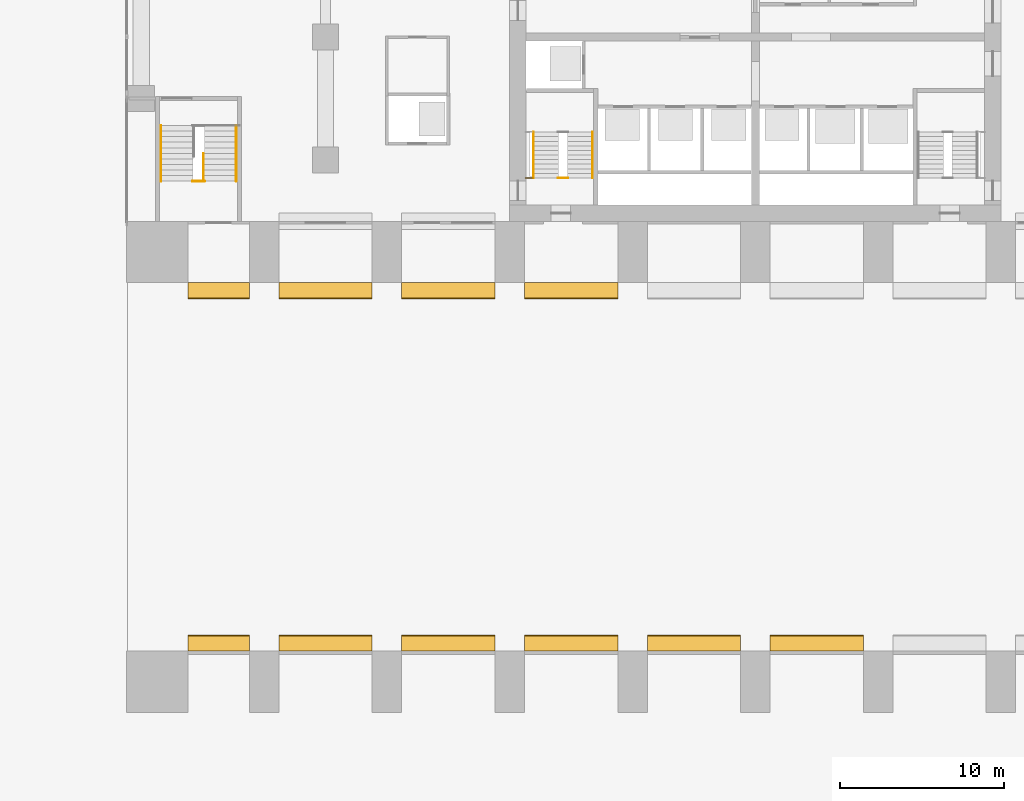
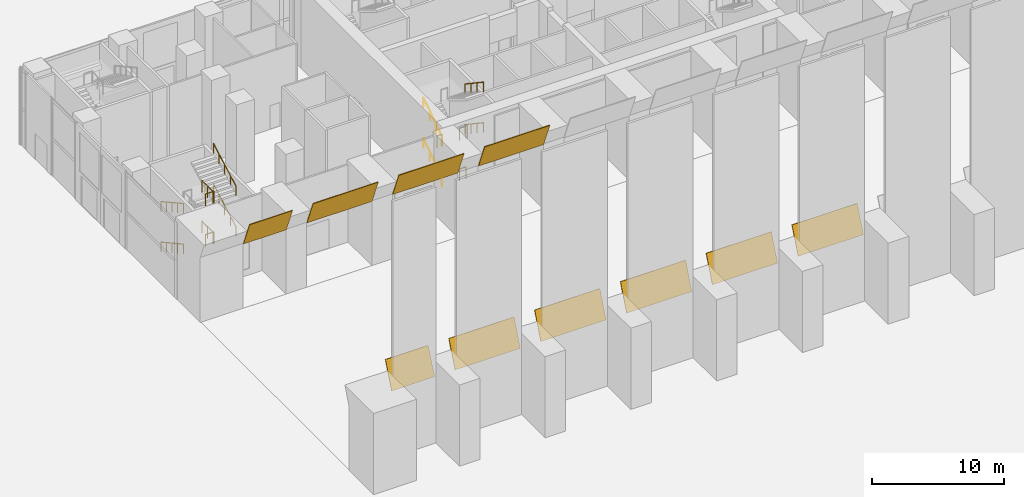
# One storey, part 17 of 21: 15 railings, 10 coverings.
"""IFC4 building model written with IfcOpenShell, lengths in metres."""

from ifc_helpers import new_model, si_unit, direction, frame, origin, origin_2d, place, context, subcontext, project, spatial, polyline, circle, outline, extrude, material, layer, layer_set, type_object, element, save


model = new_model("IFC4")

# Units and contexts
model_context = context("Model", 3, precision=1e-05, world=origin(), true_north=direction((0.0, 1.0)))
body_context = subcontext(model_context, "Body", "Model", "MODEL_VIEW")
ifc_project = project(units=[si_unit("LENGTHUNIT", "METRE"), si_unit("AREAUNIT", "SQUARE_METRE"), si_unit("VOLUMEUNIT", "CUBIC_METRE"), si_unit("PLANEANGLEUNIT", "RADIAN"), si_unit("MASSUNIT", "GRAM", prefix="KILO")], contexts=[model_context])

# Site, building, storey
site_placement = place(None, origin())
site = spatial("IfcSite", under=ifc_project, at=site_placement, CompositionType="ELEMENT")
building_placement = place(site_placement, origin())
building = spatial("IfcBuilding", under=site, at=building_placement, Name="Pilkhan Gate Tower", CompositionType="ELEMENT")
storey_placement = place(building_placement, origin())
storey = spatial("IfcBuildingStorey", under=building, at=storey_placement, Name="L00", CompositionType="ELEMENT", Elevation=0.0)

# Coverings
ifc_material_1 = material(Name="Concrete C40/50 precast", Category="concrete")
ifc_layer = layer(ifc_material_1, 0.06005859375)
ifc_layer_set = layer_set([ifc_layer], Name="Arch soffit panel ARC")
covering_type = type_object("IfcCoveringType", Name="Arch soffit panel ARC", PredefinedType="CLADDING", material=ifc_layer_set)
for number, where, z_axis, x_axis, name in (
    (1, (40.35009765625, 45.0, 6.0), (0.0, -0.928262787114, 0.371924989829), (1.0, 0.0, 0.0), "Arch soffit panel ARC-1.1"),
    (2, (40.35009765625, 66.5625, 8.33984375), (0.0, 0.928262787114, 0.371924989829), (1.0, 0.0, 0.0), "Arch soffit panel ARC-1.24"),
):
    element("IfcCovering", number, at=place(storey_placement, frame(where, z_axis=z_axis, x_axis=x_axis)), inside=storey, type_object=covering_type, Name=name, PredefinedType="CLADDING", context=body_context, shape_type="SweptSolid", body=[
        extrude(outline(polyline([(0.0, 0.0), (3.75, 0.0), (3.75, 2.52066955875102), (0.0, 2.52066955875102), (0.0, 0.0)])), origin(), (0.0, 0.0, -1.0), 0.06005859375),
    ])
for number, where, z_axis, x_axis, name in (
    (3, (45.89990234375, 45.0, 6.0), (0.0, -0.928262787114, 0.371924989829), (1.0, 0.0, 0.0), "Arch soffit panel ARC-2.1"),
    (4, (45.89990234375, 66.5625, 8.33984375), (0.0, 0.928262787114, 0.371924989829), (1.0, 0.0, 0.0), "Arch soffit panel ARC-2.24"),
    (5, (53.39990234375, 45.0, 6.0), (0.0, -0.928262787114, 0.371924989829), (1.0, 0.0, 0.0), "Arch soffit panel ARC-3.1"),
    (6, (53.39990234375, 66.5625, 8.33984375), (0.0, 0.928262787114, 0.371924989829), (1.0, 0.0, 0.0), "Arch soffit panel ARC-3.24"),
    (7, (60.89990234375, 45.0, 6.0), (0.0, -0.928262787114, 0.371924989829), (1.0, 0.0, 0.0), "Arch soffit panel ARC-4.1"),
    (8, (60.89990234375, 66.5625, 8.33984375), (0.0, 0.928262787114, 0.371924989829), (1.0, 0.0, 0.0), "Arch soffit panel ARC-4.24"),
    (9, (68.39990234375, 45.0, 6.0), (0.0, -0.928262787114, 0.371924989829), (1.0, 0.0, 0.0), "Arch soffit panel ARC-5.1"),
    (10, (75.89990234375, 45.0, 6.0), (0.0, -0.928262787114, 0.371924989829), (1.0, 0.0, 0.0), "Arch soffit panel ARC-6.1"),
):
    element("IfcCovering", number, at=place(storey_placement, frame(where, z_axis=z_axis, x_axis=x_axis)), inside=storey, type_object=covering_type, Name=name, PredefinedType="CLADDING", context=body_context, shape_type="SweptSolid", body=[
        extrude(outline(polyline([(0.0, 0.0), (5.7001953125, 0.0), (5.7001953125, 2.52066955875102), (0.0, 2.52066955875102), (0.0, 0.0)])), origin(), (0.0, 0.0, -1.0), 0.06005859375),
    ])

# Railings
ifc_material_2 = material(Name="Black powder-coated steel tube", Category="steel")
railing_type_1 = type_object("IfcRailingType", Name="Stair handrail HR1", PredefinedType="HANDRAIL", material=ifc_material_2)
railing_1_placement = place(storey_placement, frame((61.449951171875, 73.89990234375, 0.0)))
element("IfcRailing", 11, at=railing_1_placement, inside=storey, type_object=railing_type_1, Name="Stair ST2 handrail L00", PredefinedType="HANDRAIL", context=body_context, shape_type="SweptSolid", body=[
    extrude(circle(Radius=0.02392578125, at=origin_2d()), frame((0.0, 0.0, 0.8759765625), z_axis=(0.0, 0.830911662861, 0.55640435703), x_axis=(-1.0, 0.0, 0.0)), (0.0, 0.0, 1.0), 3.369873046875),
    extrude(circle(Radius=0.02099609375, at=origin_2d()), origin(), (0.0, 0.0, 1.0), 0.851806640625),
    extrude(circle(Radius=0.02099609375, at=origin_2d()), frame((0.0, 0.933349609375, 0.625)), (0.0, 0.0, 1.0), 0.851806640625),
    extrude(circle(Radius=0.02099609375, at=origin_2d()), frame((0.0, 1.86669921875, 1.25)), (0.0, 0.0, 1.0), 0.851806640625),
    extrude(circle(Radius=0.02099609375, at=origin_2d()), frame((0.0, 2.800048828125, 1.875)), (0.0, 0.0, 1.0), 0.851806640625),
])
railing_2_placement = place(storey_placement, frame((65.050048828125, 76.699951171875, 1.875)))
element("IfcRailing", 12, at=railing_2_placement, inside=storey, type_object=railing_type_1, Name="Stair ST2 handrail L00", PredefinedType="HANDRAIL", context=body_context, shape_type="SweptSolid", body=[
    extrude(circle(Radius=0.02392578125, at=origin_2d()), frame((0.0, 0.0, 0.8759765625), z_axis=(0.0, -0.830911662861, 0.55640435703), x_axis=(1.0, 0.0, 0.0)), (0.0, 0.0, 1.0), 3.369873046875),
    extrude(circle(Radius=0.02099609375, at=origin_2d()), origin(), (0.0, 0.0, 1.0), 0.851806640625),
    extrude(circle(Radius=0.02099609375, at=origin_2d()), frame((0.0, -0.933349609375, 0.625)), (0.0, 0.0, 1.0), 0.851806640625),
    extrude(circle(Radius=0.02099609375, at=origin_2d()), frame((0.0, -1.86669921875, 1.25)), (0.0, 0.0, 1.0), 0.851806640625),
    extrude(circle(Radius=0.02099609375, at=origin_2d()), frame((0.0, -2.800048828125, 1.875)), (0.0, 0.0, 1.0), 0.851806640625),
])
railing_3_placement = place(storey_placement, frame((61.449951171875, 73.89990234375, 3.75)))
element("IfcRailing", 13, at=railing_3_placement, inside=storey, type_object=railing_type_1, Name="Stair ST2 handrail L00", PredefinedType="HANDRAIL", context=body_context, shape_type="SweptSolid", body=[
    extrude(circle(Radius=0.02392578125, at=origin_2d()), frame((0.0, 0.0, 0.8759765625), z_axis=(0.0, 0.830911662861, 0.55640435703), x_axis=(-1.0, 0.0, 0.0)), (0.0, 0.0, 1.0), 3.369873046875),
    extrude(circle(Radius=0.02099609375, at=origin_2d()), origin(), (0.0, 0.0, 1.0), 0.851806640625),
    extrude(circle(Radius=0.02099609375, at=origin_2d()), frame((0.0, 0.933349609375, 0.625)), (0.0, 0.0, 1.0), 0.851806640625),
    extrude(circle(Radius=0.02099609375, at=origin_2d()), frame((0.0, 1.86669921875, 1.25)), (0.0, 0.0, 1.0), 0.851806640625),
    extrude(circle(Radius=0.02099609375, at=origin_2d()), frame((0.0, 2.800048828125, 1.875)), (0.0, 0.0, 1.0), 0.851806640625),
])
railing_4_placement = place(storey_placement, frame((65.050048828125, 76.699951171875, 5.625)))
element("IfcRailing", 14, at=railing_4_placement, inside=storey, type_object=railing_type_1, Name="Stair ST2 handrail L00", PredefinedType="HANDRAIL", context=body_context, shape_type="SweptSolid", body=[
    extrude(circle(Radius=0.02392578125, at=origin_2d()), frame((0.0, 0.0, 0.8759765625), z_axis=(0.0, -0.830911662861, 0.55640435703), x_axis=(1.0, 0.0, 0.0)), (0.0, 0.0, 1.0), 3.369873046875),
    extrude(circle(Radius=0.02099609375, at=origin_2d()), origin(), (0.0, 0.0, 1.0), 0.851806640625),
    extrude(circle(Radius=0.02099609375, at=origin_2d()), frame((0.0, -0.933349609375, 0.625)), (0.0, 0.0, 1.0), 0.851806640625),
    extrude(circle(Radius=0.02099609375, at=origin_2d()), frame((0.0, -1.86669921875, 1.25)), (0.0, 0.0, 1.0), 0.851806640625),
    extrude(circle(Radius=0.02099609375, at=origin_2d()), frame((0.0, -2.800048828125, 1.875)), (0.0, 0.0, 1.0), 0.851806640625),
])
railing_5_placement = place(storey_placement, frame((38.699951171875, 77.10009765625, 0.0)))
element("IfcRailing", 15, at=railing_5_placement, inside=storey, type_object=railing_type_1, Name="Stair PS3 handrail L00", PredefinedType="HANDRAIL", context=body_context, shape_type="SweptSolid", body=[
    extrude(circle(Radius=0.02392578125, at=origin_2d()), frame((0.0, 0.0, 0.8759765625), z_axis=(0.0, -0.875680375818, 0.482891167249), x_axis=(1.0, 0.0, 0.0)), (0.0, 0.0, 1.0), 3.8828125),
    extrude(circle(Radius=0.02099609375, at=origin_2d()), origin(), (0.0, 0.0, 1.0), 0.851806640625),
    extrude(circle(Radius=0.02099609375, at=origin_2d()), frame((0.0, -0.85009765625, 0.46875)), (0.0, 0.0, 1.0), 0.851806640625),
    extrude(circle(Radius=0.02099609375, at=origin_2d()), frame((0.0, -1.7001953125, 0.9375)), (0.0, 0.0, 1.0), 0.851806640625),
    extrude(circle(Radius=0.02099609375, at=origin_2d()), frame((0.0, -2.550048828125, 1.40625)), (0.0, 0.0, 1.0), 0.851806640625),
    extrude(circle(Radius=0.02099609375, at=origin_2d()), frame((0.0, -3.400146484375, 1.875)), (0.0, 0.0, 1.0), 0.851806640625),
])
railing_6_placement = place(storey_placement, frame((43.300048828125, 73.699951171875, 1.875)))
element("IfcRailing", 16, at=railing_6_placement, inside=storey, type_object=railing_type_1, Name="Stair PS3 handrail L00", PredefinedType="HANDRAIL", context=body_context, shape_type="SweptSolid", body=[
    extrude(circle(Radius=0.02392578125, at=origin_2d()), frame((0.0, 0.0, 0.8759765625), z_axis=(0.0, 0.875680375818, 0.482891167249), x_axis=(-1.0, 0.0, 0.0)), (0.0, 0.0, 1.0), 3.8828125),
    extrude(circle(Radius=0.02099609375, at=origin_2d()), origin(), (0.0, 0.0, 1.0), 0.851806640625),
    extrude(circle(Radius=0.02099609375, at=origin_2d()), frame((0.0, 0.85009765625, 0.46875)), (0.0, 0.0, 1.0), 0.851806640625),
    extrude(circle(Radius=0.02099609375, at=origin_2d()), frame((0.0, 1.7001953125, 0.9375)), (0.0, 0.0, 1.0), 0.851806640625),
    extrude(circle(Radius=0.02099609375, at=origin_2d()), frame((0.0, 2.550048828125, 1.40625)), (0.0, 0.0, 1.0), 0.851806640625),
    extrude(circle(Radius=0.02099609375, at=origin_2d()), frame((0.0, 3.400146484375, 1.875)), (0.0, 0.0, 1.0), 0.851806640625),
])
railing_7_placement = place(storey_placement, frame((38.699951171875, 77.10009765625, 3.75)))
element("IfcRailing", 17, at=railing_7_placement, inside=storey, type_object=railing_type_1, Name="Stair PS3 handrail L00", PredefinedType="HANDRAIL", context=body_context, shape_type="SweptSolid", body=[
    extrude(circle(Radius=0.02392578125, at=origin_2d()), frame((0.0, 0.0, 0.8759765625), z_axis=(0.0, -0.875680375818, 0.482891167249), x_axis=(1.0, 0.0, 0.0)), (0.0, 0.0, 1.0), 3.8828125),
    extrude(circle(Radius=0.02099609375, at=origin_2d()), origin(), (0.0, 0.0, 1.0), 0.851806640625),
    extrude(circle(Radius=0.02099609375, at=origin_2d()), frame((0.0, -0.85009765625, 0.46875)), (0.0, 0.0, 1.0), 0.851806640625),
    extrude(circle(Radius=0.02099609375, at=origin_2d()), frame((0.0, -1.7001953125, 0.9375)), (0.0, 0.0, 1.0), 0.851806640625),
    extrude(circle(Radius=0.02099609375, at=origin_2d()), frame((0.0, -2.550048828125, 1.40625)), (0.0, 0.0, 1.0), 0.851806640625),
    extrude(circle(Radius=0.02099609375, at=origin_2d()), frame((0.0, -3.400146484375, 1.875)), (0.0, 0.0, 1.0), 0.851806640625),
])
railing_8_placement = place(storey_placement, frame((43.300048828125, 73.699951171875, 5.625)))
element("IfcRailing", 18, at=railing_8_placement, inside=storey, type_object=railing_type_1, Name="Stair PS3 handrail L00", PredefinedType="HANDRAIL", context=body_context, shape_type="SweptSolid", body=[
    extrude(circle(Radius=0.02392578125, at=origin_2d()), frame((0.0, 0.0, 0.8759765625), z_axis=(0.0, 0.875680375818, 0.482891167249), x_axis=(-1.0, 0.0, 0.0)), (0.0, 0.0, 1.0), 3.8828125),
    extrude(circle(Radius=0.02099609375, at=origin_2d()), origin(), (0.0, 0.0, 1.0), 0.851806640625),
    extrude(circle(Radius=0.02099609375, at=origin_2d()), frame((0.0, 0.85009765625, 0.46875)), (0.0, 0.0, 1.0), 0.851806640625),
    extrude(circle(Radius=0.02099609375, at=origin_2d()), frame((0.0, 1.7001953125, 0.9375)), (0.0, 0.0, 1.0), 0.851806640625),
    extrude(circle(Radius=0.02099609375, at=origin_2d()), frame((0.0, 2.550048828125, 1.40625)), (0.0, 0.0, 1.0), 0.851806640625),
    extrude(circle(Radius=0.02099609375, at=origin_2d()), frame((0.0, 3.400146484375, 1.875)), (0.0, 0.0, 1.0), 0.851806640625),
])
ifc_material_3 = material(Name="Black powder-coated steel balusters", Category="steel")
railing_type_2 = type_object("IfcRailingType", Name="Stair well guard G3", PredefinedType="GUARDRAIL", material=ifc_material_3)
railing_9_placement = place(storey_placement, frame((60.97998046875, 73.89990234375, 3.75)))
element("IfcRailing", 19, at=railing_9_placement, inside=storey, type_object=railing_type_2, Name="Stair ST2 well guard L00", PredefinedType="GUARDRAIL", context=body_context, shape_type="SweptSolid", body=[
    extrude(circle(Radius=0.02392578125, at=origin_2d()), frame((0.0, 0.0, 1.076171875), z_axis=(1.0, 0.0, 0.0), x_axis=(0.0, 1.0, 0.0)), (0.0, 0.0, 1.0), 0.43994140625),
    extrude(circle(Radius=0.02099609375, at=origin_2d()), origin(), (0.0, 0.0, 1.0), 1.052001953125),
    extrude(circle(Radius=0.02099609375, at=origin_2d()), frame((0.43994140625, 0.0, 0.0)), (0.0, 0.0, 1.0), 1.052001953125),
])
for number, where, name in (
    (20, (62.9599609375, 73.89990234375, 0.0), "Stair ST2 well guard L00"),
    (21, (62.9599609375, 73.89990234375, 3.75), "Stair ST2 well guard L00"),
):
    element("IfcRailing", number, at=place(storey_placement, frame(where)), inside=storey, type_object=railing_type_2, Name=name, PredefinedType="GUARDRAIL", context=body_context, shape_type="SweptSolid", body=[
        extrude(circle(Radius=0.02392578125, at=origin_2d()), frame((0.0, 0.0, 1.076171875), z_axis=(1.0, 0.0, 0.0), x_axis=(0.0, 1.0, 0.0)), (0.0, 0.0, 1.0), 0.580078125),
        extrude(circle(Radius=0.02099609375, at=origin_2d()), origin(), (0.0, 0.0, 1.0), 1.052001953125),
        extrude(circle(Radius=0.02099609375, at=origin_2d()), frame((0.580078125, 0.0, 0.0)), (0.0, 0.0, 1.0), 1.052001953125),
    ])
railing_10_placement = place(storey_placement, frame((40.6298828125, 73.699951171875, 1.875)))
element("IfcRailing", 22, at=railing_10_placement, inside=storey, type_object=railing_type_2, Name="Stair PS3 well guard L00", PredefinedType="GUARDRAIL", context=body_context, shape_type="SweptSolid", body=[
    extrude(circle(Radius=0.02392578125, at=origin_2d()), frame((0.0, 0.0, 1.076171875), z_axis=(1.0, 0.0, 0.0), x_axis=(0.0, 1.0, 0.0)), (0.0, 0.0, 1.0), 0.740234375),
    extrude(circle(Radius=0.02099609375, at=origin_2d()), origin(), (0.0, 0.0, 1.0), 1.052001953125),
    extrude(circle(Radius=0.02099609375, at=origin_2d()), frame((0.740234375, 0.0, 0.0)), (0.0, 0.0, 1.0), 1.052001953125),
])
railing_11_placement = place(storey_placement, frame((41.300048828125, 75.39990234375, 1.875)))
element("IfcRailing", 23, at=railing_11_placement, inside=storey, type_object=railing_type_2, Name="Stair PS3 well guard L00", PredefinedType="GUARDRAIL", context=body_context, shape_type="SweptSolid", body=[
    extrude(circle(Radius=0.02392578125, at=origin_2d()), frame((0.0, 0.0, 1.076171875), z_axis=(0.0, -1.0, 0.0), x_axis=(1.0, 0.0, 0.0)), (0.0, 0.0, 1.0), 1.699951171875),
    extrude(circle(Radius=0.02099609375, at=origin_2d()), origin(), (0.0, 0.0, 1.0), 1.052001953125),
    extrude(circle(Radius=0.02099609375, at=origin_2d()), frame((0.0, -0.85009765625, 0.0)), (0.0, 0.0, 1.0), 1.052001953125),
    extrude(circle(Radius=0.02099609375, at=origin_2d()), frame((0.0, -1.699951171875, 0.0)), (0.0, 0.0, 1.0), 1.052001953125),
])
railing_12_placement = place(storey_placement, frame((40.6298828125, 73.699951171875, 5.625)))
element("IfcRailing", 24, at=railing_12_placement, inside=storey, type_object=railing_type_2, Name="Stair PS3 well guard L00", PredefinedType="GUARDRAIL", context=body_context, shape_type="SweptSolid", body=[
    extrude(circle(Radius=0.02392578125, at=origin_2d()), frame((0.0, 0.0, 1.076171875), z_axis=(1.0, 0.0, 0.0), x_axis=(0.0, 1.0, 0.0)), (0.0, 0.0, 1.0), 0.740234375),
    extrude(circle(Radius=0.02099609375, at=origin_2d()), origin(), (0.0, 0.0, 1.0), 1.052001953125),
    extrude(circle(Radius=0.02099609375, at=origin_2d()), frame((0.740234375, 0.0, 0.0)), (0.0, 0.0, 1.0), 1.052001953125),
])
railing_13_placement = place(storey_placement, frame((41.300048828125, 75.39990234375, 5.625)))
element("IfcRailing", 25, at=railing_13_placement, inside=storey, type_object=railing_type_2, Name="Stair PS3 well guard L00", PredefinedType="GUARDRAIL", context=body_context, shape_type="SweptSolid", body=[
    extrude(circle(Radius=0.02392578125, at=origin_2d()), frame((0.0, 0.0, 1.076171875), z_axis=(0.0, -1.0, 0.0), x_axis=(1.0, 0.0, 0.0)), (0.0, 0.0, 1.0), 1.699951171875),
    extrude(circle(Radius=0.02099609375, at=origin_2d()), origin(), (0.0, 0.0, 1.0), 1.052001953125),
    extrude(circle(Radius=0.02099609375, at=origin_2d()), frame((0.0, -0.85009765625, 0.0)), (0.0, 0.0, 1.0), 1.052001953125),
    extrude(circle(Radius=0.02099609375, at=origin_2d()), frame((0.0, -1.699951171875, 0.0)), (0.0, 0.0, 1.0), 1.052001953125),
])

save(model, "model.ifc")
